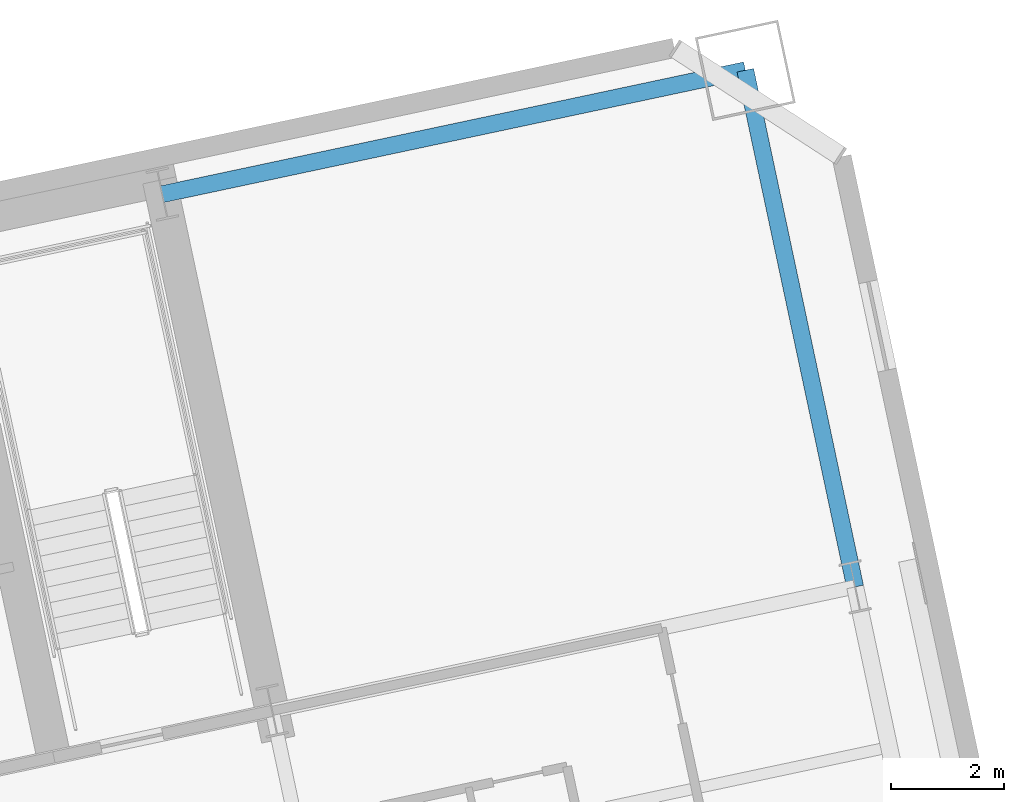
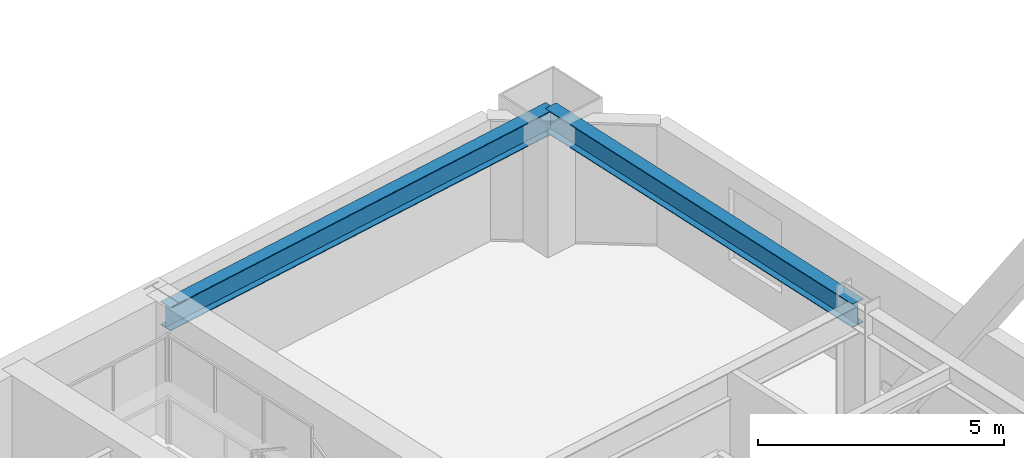
# One storey, part 7 of 22: 2 beams.
"""IFC4 building model written with IfcOpenShell, lengths in metres."""

import ifcopenshell
import ifcopenshell.guid

model = None  # the IFC model being written
_history = None  # IfcOwnerHistory: only IFC2X3 demands one
_inside = {}  # id of a spatial element -> (the spatial element, [elements in it])
_under = {}  # id of a project, library or spatial element -> (it, [spatial elements below it])
_declared = {}  # id of a project -> (the project, [libraries it declares])
_typed = {}  # id of a type object -> (the type object, [elements of that type])
_made_of = {}  # id of a material, layer set ... -> (it, [elements and type objects made of it])


def new_model(schema):
    """Start an empty IFC model of exactly this schema.

    Asked for "IFC4X3", IfcOpenShell would pick the latest addendum, in which some entities
    have other attributes; the version numbers below select the first issue.
    IFC2X3 requires an IfcOwnerHistory on every rooted entity: one is made here for all.
    """
    global model, _history
    if schema == "IFC4X3":
        model = ifcopenshell.file(schema_version=(4, 3, 0, 0))
    else:
        model = ifcopenshell.file(schema=schema)
    _inside.clear()
    _under.clear()
    _declared.clear()
    _typed.clear()
    _made_of.clear()
    _history = None
    if model.schema == "IFC2X3":
        org = make("IfcOrganization", Name="unknown")
        user = make(
            "IfcPersonAndOrganization",
            ThePerson=make("IfcPerson", FamilyName="unknown"),
            TheOrganization=org,
        )
        app = make(
            "IfcApplication",
            ApplicationDeveloper=org,
            Version="unknown",
            ApplicationFullName="unknown",
            ApplicationIdentifier="unknown",
        )
        _history = make(
            "IfcOwnerHistory",
            OwningUser=user,
            OwningApplication=app,
            ChangeAction="ADDED",
            CreationDate=0,
        )
    return model


def make(cls, **values):
    """One entity of the class cls with the attributes given. An attribute that is None is left unset."""
    return model.create_entity(
        cls, **{name: value for name, value in values.items() if value is not None}
    )


def rooted(cls, **values):
    """An entity with a GlobalId (a new one), such as an element, a storey or a relation."""
    return make(cls, GlobalId=ifcopenshell.guid.new(), OwnerHistory=_history, **values)


def si_unit(unit_type, name, prefix=None):
    """IfcSIUnit, for example si_unit("LENGTHUNIT", "METRE", prefix="MILLI")."""
    return make("IfcSIUnit", UnitType=unit_type, Prefix=prefix, Name=name)


def assignment(units):
    """IfcUnitAssignment: the units of a project."""
    return None if units is None else make("IfcUnitAssignment", Units=units)


def point(xyz):
    """IfcCartesianPoint."""
    return None if xyz is None else make("IfcCartesianPoint", Coordinates=xyz)


def direction(xyz):
    """IfcDirection."""
    return None if xyz is None else make("IfcDirection", DirectionRatios=xyz)


def frame(location, z_axis=None, x_axis=None):
    """IfcAxis2Placement3D, a coordinate frame: its origin and axes. An axis left out is left unset."""
    return make(
        "IfcAxis2Placement3D",
        Location=point(location),
        Axis=direction(z_axis),
        RefDirection=direction(x_axis),
    )


def frame_2d(location, x_axis=None):
    """IfcAxis2Placement2D, a coordinate frame in the plane: its origin and x axis."""
    return make(
        "IfcAxis2Placement2D", Location=point(location), RefDirection=direction(x_axis)
    )


def origin():
    """The frame at (0, 0, 0) with its axes left unset."""
    return frame((0.0, 0.0, 0.0))


def origin_2d():
    """The frame at (0, 0) in the plane with its x axis left unset."""
    return frame_2d((0.0, 0.0))


def place(relative_to, where):
    """IfcLocalPlacement: puts the frame where relative to a parent placement (None: the world)."""
    return make(
        "IfcLocalPlacement", PlacementRelTo=relative_to, RelativePlacement=where
    )


def context(
    kind, dimensions, precision=None, world=None, true_north=None, identifier=None
):
    """IfcGeometricRepresentationContext, for example the 3D "Model" context."""
    return make(
        "IfcGeometricRepresentationContext",
        ContextIdentifier=identifier,
        ContextType=kind,
        CoordinateSpaceDimension=dimensions,
        Precision=precision,
        WorldCoordinateSystem=world,
        TrueNorth=true_north,
    )


def subcontext(parent, identifier, kind, view, scale=None):
    """IfcGeometricRepresentationSubContext, for example "Body" below "Model"."""
    return make(
        "IfcGeometricRepresentationSubContext",
        ContextIdentifier=identifier,
        ContextType=kind,
        ParentContext=parent,
        TargetScale=scale,
        TargetView=view,
    )


def project(units=None, contexts=None):
    """IfcProject with its units and contexts."""
    return rooted(
        "IfcProject",
        Name="project",
        RepresentationContexts=contexts,
        UnitsInContext=assignment(units),
    )


def spatial(cls, under=None, at=None, **own):
    """A site, building, storey or space (cls), placed at a placement, below another one or the project."""
    s = rooted(cls, ObjectPlacement=at, **own)
    if under is not None:
        _under.setdefault(under.id(), (under, []))[1].append(s)
    return s


def profile(cls, at=None, kind="AREA", **sizes):
    """A parametric profile (cls). Its sizes go by their IFC names, for example OverallWidth=200.0."""
    return make(cls, ProfileType=kind, Position=at, **sizes)


def i_section(**sizes):
    """IfcIShapeProfileDef."""
    return profile("IfcIShapeProfileDef", **sizes)


def extrude(swept, where, along, depth):
    """IfcExtrudedAreaSolid: the profile swept, set in the frame where, extruded along a direction by depth."""
    return make(
        "IfcExtrudedAreaSolid",
        SweptArea=swept,
        Position=where,
        ExtrudedDirection=direction(along),
        Depth=depth,
    )


def shape(context_of_items, identifier, shape_type, items):
    """IfcShapeRepresentation: the items that make up one representation, for example the "Body"."""
    return make(
        "IfcShapeRepresentation",
        ContextOfItems=context_of_items,
        RepresentationIdentifier=identifier,
        RepresentationType=shape_type,
        Items=items,
    )


def material(Name=None, Category=None):
    """IfcMaterial."""
    return make("IfcMaterial", Name=Name, Category=Category)


def material_profile(
    of_material, cross_section, Name=None, Category=None, Priority=None
):
    """IfcMaterialProfile: a cross section and its material."""
    return make(
        "IfcMaterialProfile",
        Name=Name,
        Material=of_material,
        Profile=cross_section,
        Priority=Priority,
        Category=Category,
    )


def profile_set(profiles, Name=None, composite=None):
    """IfcMaterialProfileSet."""
    return make(
        "IfcMaterialProfileSet",
        Name=Name,
        MaterialProfiles=profiles,
        CompositeProfile=composite,
    )


def made_of(thing, what):
    """Note that an element or type object is made of a material, layer set ...; save() writes the relation."""
    if what is not None:
        _made_of.setdefault(what.id(), (what, []))[1].append(thing)
    return thing


def type_object(cls, material=None, **own):
    """A type object (cls), such as IfcWallType, which elements share."""
    return made_of(rooted(cls, **own), material)


def element(
    cls,
    number,
    at=None,
    inside=None,
    cuts=None,
    type_object=None,
    material=None,
    context=None,
    identifier="Body",
    shape_type=None,
    held_by="IfcProductDefinitionShape",
    body=None,
    shapes=None,
    **own,
):
    """One element of the class cls, such as IfcWall. Its Tag is "e" and its number.

    at: its placement. inside: the storey or other place that contains it. cuts: it is an
    opening in that element (IfcRelVoidsElement). A single representation is given by context,
    identifier, shape_type and body (its items); several are given by shapes. held_by: the class
    of the entity that holds the representations. save() writes the other relations.
    """
    e = rooted(cls, Tag="e%d" % number, ObjectPlacement=at, **own)
    if body is not None:
        shapes = [shape(context, identifier, shape_type, body)]
    if shapes is not None:
        e.Representation = make(held_by, Representations=shapes)
    if inside is not None:
        _inside.setdefault(inside.id(), (inside, []))[1].append(e)
    if cuts is not None:
        rooted(
            "IfcRelVoidsElement", RelatingBuildingElement=cuts, RelatedOpeningElement=e
        )
    if type_object is not None:
        _typed.setdefault(type_object.id(), (type_object, []))[1].append(e)
    return made_of(e, material)


def aggregate(whole, parts):
    """IfcRelAggregates: a whole, such as a stair, and the parts it consists of."""
    return rooted("IfcRelAggregates", RelatingObject=whole, RelatedObjects=parts)


def save(model, path):
    """Write the relations noted so far, then the file.

    IfcRelAggregates (storeys below a building ...), IfcRelContainedInSpatialStructure (elements
    in a storey), IfcRelDefinesByType, IfcRelAssociatesMaterial and IfcRelDeclares: one each for
    every whole, place, type object, material and project.
    """
    for whole, parts in _under.values():
        aggregate(whole, parts)
    for where, things in _inside.values():
        rooted(
            "IfcRelContainedInSpatialStructure",
            RelatedElements=things,
            RelatingStructure=where,
        )
    for kind, things in _typed.values():
        rooted("IfcRelDefinesByType", RelatedObjects=things, RelatingType=kind)
    for what, things in _made_of.values():
        rooted("IfcRelAssociatesMaterial", RelatedObjects=things, RelatingMaterial=what)
    for by, libraries in _declared.values():
        rooted("IfcRelDeclares", RelatingContext=by, RelatedDefinitions=libraries)
    model.write(path)


model = new_model("IFC4")

# Units and contexts
model_context = context("Model", 3, precision=1e-05, world=origin(), true_north=direction((0.0, 1.0)))
body_context = subcontext(model_context, "Body", "Model", "MODEL_VIEW")
ifc_project = project(units=[si_unit("LENGTHUNIT", "METRE"), si_unit("AREAUNIT", "SQUARE_METRE"), si_unit("VOLUMEUNIT", "CUBIC_METRE"), si_unit("PLANEANGLEUNIT", "RADIAN"), si_unit("MASSUNIT", "GRAM", prefix="KILO")], contexts=[model_context])

# Site, building, storey
site_placement = place(None, origin())
site = spatial("IfcSite", under=ifc_project, at=site_placement, CompositionType="ELEMENT")
building_placement = place(site_placement, origin())
building = spatial("IfcBuilding", under=site, at=building_placement, Name="Haevon Station Towers", CompositionType="ELEMENT")
storey_placement = place(building_placement, frame((0.0, 0.0, 70.199951171875)))
storey = spatial("IfcBuildingStorey", under=building, at=storey_placement, Name="L18", CompositionType="ELEMENT", Elevation=70.199951171875)

# Beams
ifc_material = material(Name="Steel S355", Category="steel")
ifc_material_profile = material_profile(ifc_material, i_section(OverallWidth=0.300048828125, OverallDepth=0.587890625, WebThickness=0.011962890625, FlangeThickness=0.02001953125, at=origin_2d()), Name="H-588x300x12x20")
ifc_profile_set = profile_set([ifc_material_profile], Name="Steel S355")
beam_type = type_object("IfcBeamType", Name="BM-SP588", PredefinedType="SPANDREL", material=ifc_profile_set)
beam_1_placement = place(storey_placement, frame((117.349365234375, 50.954345703125, 2.756103515625), z_axis=(0.978150204601, 0.207899440208, 0.0), x_axis=(-0.207899440208, 0.978150204601, 0.0)))
element("IfcBeam", 1, at=beam_1_placement, inside=storey, type_object=beam_type, Name="BM-T2U-L18-04-04", PredefinedType="SPANDREL", context=body_context, shape_type="SweptSolid", body=[
    extrude(i_section(OverallWidth=0.300048828125, OverallDepth=0.587890625, WebThickness=0.011962890625, FlangeThickness=0.02001953125, at=origin_2d()), origin(), (0.0, 0.0, 1.0), 10.550048828125),
])
beam_2_placement = place(storey_placement, frame((129.61279296875, 44.001953125, 2.756103515625), z_axis=(-0.207897167074, 0.978150687738, 0.0), x_axis=(-0.978150687738, -0.207897167074, 0.0)))
element("IfcBeam", 2, at=beam_2_placement, inside=storey, type_object=beam_type, Name="BM-T2V-L18-05-03", PredefinedType="SPANDREL", context=body_context, shape_type="SweptSolid", body=[
    extrude(i_section(OverallWidth=0.300048828125, OverallDepth=0.587890625, WebThickness=0.011962890625, FlangeThickness=0.02001953125, at=origin_2d()), origin(), (0.0, 0.0, 1.0), 9.35009765625),
])

save(model, "model.ifc")
